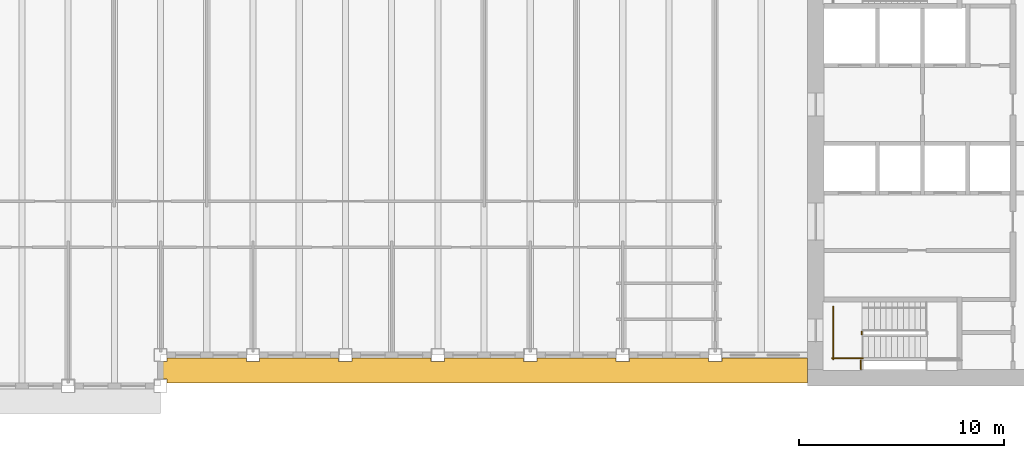
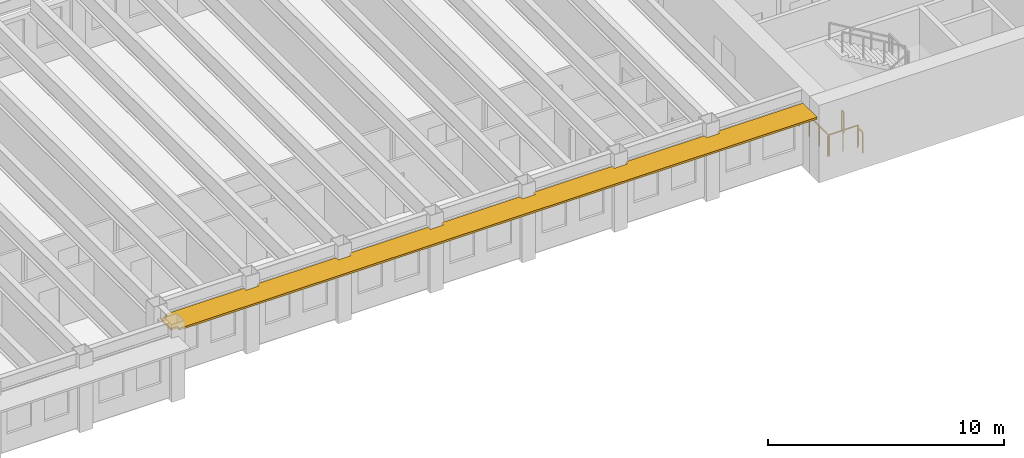
# One storey, part 9 of 12: 4 railings, 1 shading device.
"""IFC4 building model written with IfcOpenShell, lengths in metres."""

from ifc_helpers import new_model, si_unit, direction, frame, origin, origin_2d, place, context, subcontext, project, spatial, polyline, rectangle, outline, extrude, material, layer, layer_set, type_object, element, save


model = new_model("IFC4")

# Units and contexts
model_context = context("Model", 3, precision=1e-05, world=origin(), true_north=direction((0.0, 1.0)))
body_context = subcontext(model_context, "Body", "Model", "MODEL_VIEW")
ifc_project = project(units=[si_unit("LENGTHUNIT", "METRE"), si_unit("AREAUNIT", "SQUARE_METRE"), si_unit("VOLUMEUNIT", "CUBIC_METRE"), si_unit("PLANEANGLEUNIT", "RADIAN"), si_unit("MASSUNIT", "GRAM", prefix="KILO")], contexts=[model_context])

# Site, building, storey
site_placement = place(None, origin())
site = spatial("IfcSite", under=ifc_project, at=site_placement, CompositionType="ELEMENT")
building_placement = place(site_placement, origin())
building = spatial("IfcBuilding", under=site, at=building_placement, Name="Sennacour Bend Tower", CompositionType="ELEMENT")
storey_placement = place(building_placement, frame((0.0, 0.0, 277.0)))
storey = spatial("IfcBuildingStorey", under=building, at=storey_placement, Name="L64", CompositionType="ELEMENT", Elevation=277.0)

# Railings
ifc_material_1 = material(Name="Stainless steel", Category="steel")
railing_type = type_object("IfcRailingType", Name="RL-GUARD-1100", PredefinedType="GUARDRAIL", material=ifc_material_1)
railing_1_placement = place(storey_placement, frame((56.64990234375, 2.5, 0.0)))
element("IfcRailing", 1, at=railing_1_placement, inside=storey, type_object=railing_type, Name="L64 SA1 stair guard 5", PredefinedType="GUARDRAIL", context=body_context, shape_type="SweptSolid", body=[
    extrude(rectangle(XDim=0.048095703125, YDim=0.048095703125, at=origin_2d()), frame((0.0, 0.0, 1.076171875), z_axis=(0.0, 1.0, 0.0), x_axis=(-1.0, 0.0, 0.0)), (0.0, 0.0, 1.0), 0.14990234375),
    extrude(rectangle(XDim=0.0419921875, YDim=0.0419921875, at=origin_2d()), origin(), (0.0, 0.0, 1.0), 1.052001953125),
    extrude(rectangle(XDim=0.0419921875, YDim=0.0419921875, at=origin_2d()), frame((0.0, 0.14990234375, 0.0)), (0.0, 0.0, 1.0), 1.052001953125),
])
railing_2_placement = place(storey_placement, frame((55.199951171875, 1.35009765625, 0.0)))
element("IfcRailing", 2, at=railing_2_placement, inside=storey, type_object=railing_type, Name="L64 SA1 stair guard 6", PredefinedType="GUARDRAIL", context=body_context, shape_type="SweptSolid", body=[
    extrude(rectangle(XDim=0.048095703125, YDim=0.048095703125, at=origin_2d()), frame((0.0, 0.0, 1.076171875), z_axis=(1.0, 0.0, 0.0), x_axis=(0.0, 1.0, 0.0)), (0.0, 0.0, 1.0), 1.5),
    extrude(rectangle(XDim=0.0419921875, YDim=0.0419921875, at=origin_2d()), origin(), (0.0, 0.0, 1.0), 1.052001953125),
    extrude(rectangle(XDim=0.0419921875, YDim=0.0419921875, at=origin_2d()), frame((0.75, 0.0, 0.0)), (0.0, 0.0, 1.0), 1.052001953125),
    extrude(rectangle(XDim=0.0419921875, YDim=0.0419921875, at=origin_2d()), frame((1.5, 0.0, 0.0)), (0.0, 0.0, 1.0), 1.052001953125),
])
railing_3_placement = place(storey_placement, frame((55.25, 1.300048828125, 0.0)))
element("IfcRailing", 3, at=railing_3_placement, inside=storey, type_object=railing_type, Name="L64 SA1 stair guard 7", PredefinedType="GUARDRAIL", context=body_context, shape_type="SweptSolid", body=[
    extrude(rectangle(XDim=0.048095703125, YDim=0.048095703125, at=origin_2d()), frame((0.0, 0.0, 1.076171875), z_axis=(0.0, 1.0, 0.0), x_axis=(-1.0, 0.0, 0.0)), (0.0, 0.0, 1.0), 2.550048828125),
    extrude(rectangle(XDim=0.0419921875, YDim=0.0419921875, at=origin_2d()), origin(), (0.0, 0.0, 1.0), 1.052001953125),
    extrude(rectangle(XDim=0.0419921875, YDim=0.0419921875, at=origin_2d()), frame((0.0, 0.85009765625, 0.0)), (0.0, 0.0, 1.0), 1.052001953125),
    extrude(rectangle(XDim=0.0419921875, YDim=0.0419921875, at=origin_2d()), frame((0.0, 1.699951171875, 0.0)), (0.0, 0.0, 1.0), 1.052001953125),
    extrude(rectangle(XDim=0.0419921875, YDim=0.0419921875, at=origin_2d()), frame((0.0, 2.550048828125, 0.0)), (0.0, 0.0, 1.0), 1.052001953125),
])
railing_4_placement = place(storey_placement, frame((56.60009765625, 1.25, 0.0)))
element("IfcRailing", 4, at=railing_4_placement, inside=storey, type_object=railing_type, Name="L64 SA1 landing edge guard 151", PredefinedType="GUARDRAIL", context=body_context, shape_type="SweptSolid", body=[
    extrude(rectangle(XDim=0.048095703125, YDim=0.048095703125, at=origin_2d()), frame((0.0, 0.0, 1.076171875), z_axis=(0.0, -1.0, 0.0), x_axis=(1.0, 0.0, 0.0)), (0.0, 0.0, 1.0), 0.449951171875),
    extrude(rectangle(XDim=0.0419921875, YDim=0.0419921875, at=origin_2d()), origin(), (0.0, 0.0, 1.0), 1.052001953125),
    extrude(rectangle(XDim=0.0419921875, YDim=0.0419921875, at=origin_2d()), frame((0.0, -0.449951171875, 0.0)), (0.0, 0.0, 1.0), 1.052001953125),
])

# Shading device
ifc_material_2 = material(Name="Bronze anodised aluminium", Category="aluminium")
ifc_layer = layer(ifc_material_2, 0.10009765625, Name="Bronze anodised aluminium", Category="aluminium")
ifc_layer_set = layer_set([ifc_layer], Name="Bronze anodised aluminium")
shading_device_type = type_object("IfcShadingDeviceType", Name="SUNSHADE BAND STRAIGHT", PredefinedType="USERDEFINED", material=ifc_layer_set)
shading_device_placement = place(storey_placement, frame((0.0, 0.0, 3.06201171875)))
element("IfcShadingDevice", 5, at=shading_device_placement, inside=storey, type_object=shading_device_type, Name="Sunshade band L64 A outer face", ObjectType="SUNSHADE", PredefinedType="USERDEFINED", context=body_context, shape_type="SweptSolid", body=[
    extrude(outline(polyline([(26.675048828125, 1.35009765625), (26.675048828125, 1.175048828125), (27.324951171875, 1.175048828125), (27.324951171875, 1.35009765625), (31.175048828125, 1.35009765625), (31.175048828125, 1.175048828125), (31.824951171875, 1.175048828125), (31.824951171875, 1.35009765625), (35.675048828125, 1.35009765625), (35.675048828125, 1.175048828125), (36.324951171875, 1.175048828125), (36.324951171875, 1.35009765625), (40.175048828125, 1.35009765625), (40.175048828125, 1.175048828125), (40.824951171875, 1.175048828125), (40.824951171875, 1.35009765625), (44.675048828125, 1.35009765625), (44.675048828125, 1.175048828125), (45.324951171875, 1.175048828125), (45.324951171875, 1.35009765625), (49.175048828125, 1.35009765625), (49.175048828125, 1.175048828125), (49.824951171875, 1.175048828125), (49.824951171875, 1.35009765625), (54.0, 1.35009765625), (54.0, 0.14990234375), (22.824951171875, 0.14990234375), (22.824951171875, 0.324951171875), (22.5, 0.324951171875), (22.5, 1.175048828125), (22.824951171875, 1.175048828125), (22.824951171875, 1.35009765625), (26.675048828125, 1.35009765625)])), origin(), (0.0, 0.0, 1.0), 0.10009765625),
])

save(model, "model.ifc")
